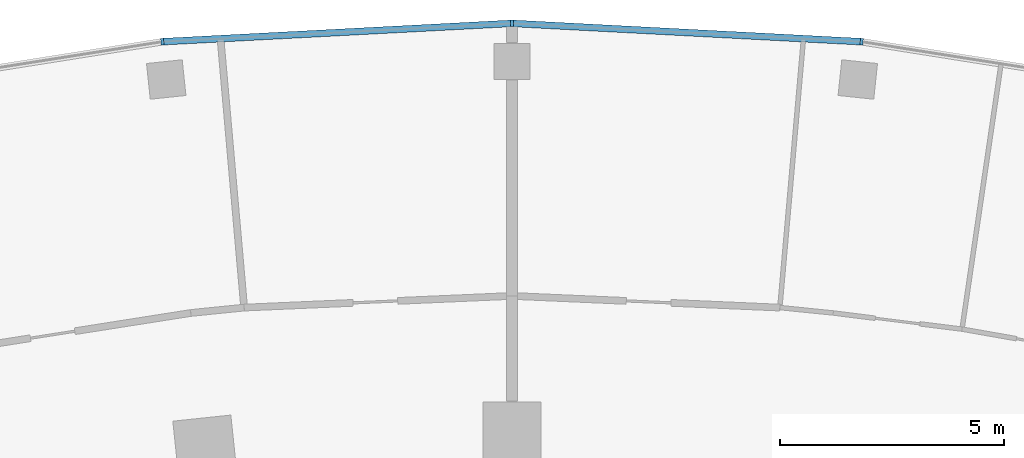
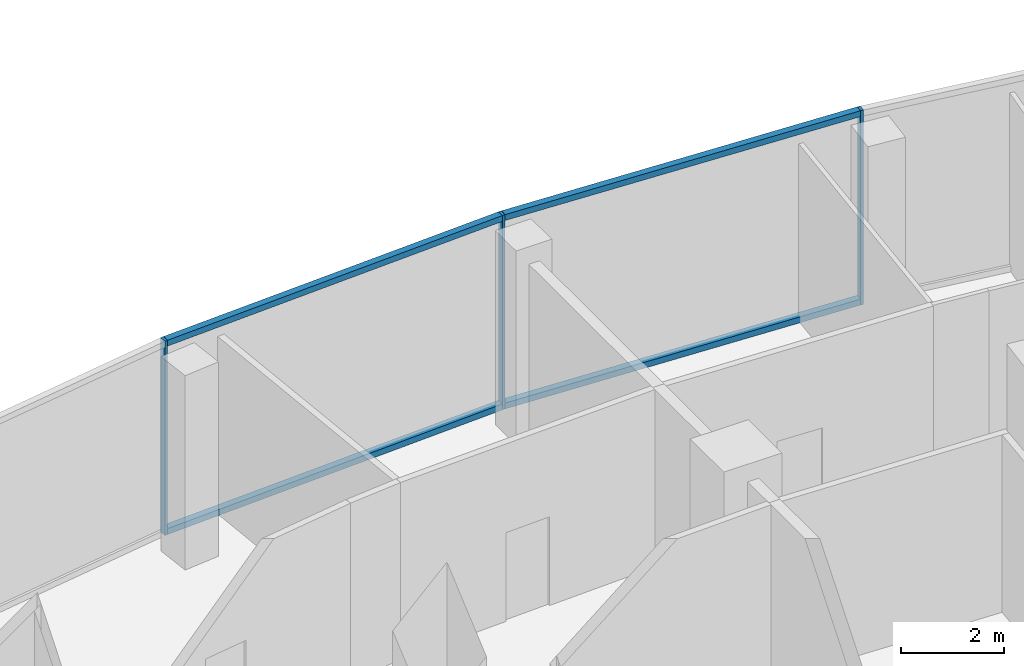
# One storey, part 14 of 39: 7 members, 1 element without a shape of its own.
"""IFC4 building model written with IfcOpenShell, lengths in metres."""

from ifc_helpers import new_model, si_unit, direction, frame, origin, origin_2d, place, context, subcontext, project, spatial, rectangle, extrude, material, layer, layer_set, material_profile, profile_set, type_object, element, aggregate, save


model = new_model("IFC4")

# Units and contexts
model_context = context("Model", 3, precision=1e-05, world=origin(), true_north=direction((0.0, 1.0)))
body_context = subcontext(model_context, "Body", "Model", "MODEL_VIEW")
ifc_project = project(units=[si_unit("LENGTHUNIT", "METRE"), si_unit("AREAUNIT", "SQUARE_METRE"), si_unit("VOLUMEUNIT", "CUBIC_METRE"), si_unit("PLANEANGLEUNIT", "RADIAN"), si_unit("MASSUNIT", "GRAM", prefix="KILO")], contexts=[model_context])

# Site, building, storey
site_placement = place(None, origin())
site = spatial("IfcSite", under=ifc_project, at=site_placement, CompositionType="ELEMENT")
building_placement = place(site_placement, origin())
building = spatial("IfcBuilding", under=site, at=building_placement, Name="Stone Belt Terrace Tower", CompositionType="ELEMENT")
storey_placement = place(building_placement, frame((0.0, 0.0, 16.199951171875)))
storey = spatial("IfcBuildingStorey", under=building, at=storey_placement, Name="L03", CompositionType="ELEMENT", Elevation=16.199951171875)

# Curtain wall, members
ifc_material = material(Name="Aluminium 6063-T6 anodised frame", Category="aluminium")
ifc_layer = layer(ifc_material, 0.14990234375)
ifc_layer_set = layer_set([ifc_layer], Name="CW-D podium shopfront")
curtain_wall_type = type_object("IfcCurtainWallType", Name="CW-D podium shopfront", PredefinedType="NOTDEFINED", material=ifc_layer_set)
curtain_wall_placement = place(storey_placement, origin())
curtain_wall = element("IfcCurtainWall", 1, at=curtain_wall_placement, inside=storey, type_object=curtain_wall_type, Name="CW-D convex face L03", PredefinedType="NOTDEFINED")
ifc_material_profile_1 = material_profile(ifc_material, rectangle(XDim=0.14990234375, YDim=0.06005859375, at=origin_2d()), Name="Aluminium 6063-T6 60x150")
ifc_profile_set_1 = profile_set([ifc_material_profile_1], Name="Aluminium 6063-T6 anodised frame")
member_type_1 = type_object("IfcMemberType", Name="CW-D mullion 60 x 150", PredefinedType="MULLION", material=ifc_profile_set_1)
member_1_placement = place(storey_placement, frame((7.795166015625, 74.16650390625, 0.0), z_axis=(0.0, 0.0, 1.0), x_axis=(-0.104528463268, -0.994521895368, 0.0)))
member_1 = element("IfcMember", 2, at=member_1_placement, type_object=member_type_1, Name="CW-D mullion 12", PredefinedType="MULLION", context=body_context, shape_type="SweptSolid", body=[
    extrude(rectangle(XDim=0.14990234375, YDim=0.06005859375, at=origin_2d()), origin(), (0.0, 0.0, 1.0), 4.60009765625),
])
member_2_placement = place(storey_placement, frame((0.0, 74.5751953125, 0.0), z_axis=(0.0, 0.0, 1.0), x_axis=(0.0, -1.0, 0.0)))
member_2 = element("IfcMember", 3, at=member_2_placement, type_object=member_type_1, Name="CW-D mullion 13", PredefinedType="MULLION", context=body_context, shape_type="SweptSolid", body=[
    extrude(rectangle(XDim=0.14990234375, YDim=0.06005859375, at=origin_2d()), origin(), (0.0, 0.0, 1.0), 4.60009765625),
])
member_3_placement = place(storey_placement, frame((-7.795166015625, 74.16650390625, 0.0), z_axis=(0.0, 0.0, 1.0), x_axis=(0.104528463268, -0.994521895368, 0.0)))
member_3 = element("IfcMember", 4, at=member_3_placement, type_object=member_type_1, Name="CW-D mullion 14", PredefinedType="MULLION", context=body_context, shape_type="SweptSolid", body=[
    extrude(rectangle(XDim=0.14990234375, YDim=0.06005859375, at=origin_2d()), origin(), (0.0, 0.0, 1.0), 4.60009765625),
])
ifc_material_profile_2 = material_profile(ifc_material, rectangle(XDim=0.14990234375, YDim=0.139892578125, at=origin_2d()), Name="Aluminium 6063-T6 150x140")
ifc_profile_set_2 = profile_set([ifc_material_profile_2], Name="Aluminium 6063-T6 anodised frame")
member_type_2 = type_object("IfcMemberType", Name="CW-D transom 140 x 150", PredefinedType="USERDEFINED", material=ifc_profile_set_2)
member_4_placement = place(storey_placement, frame((7.761474609375, 74.16845703125, 0.070068359375), z_axis=(-0.998630871779, 0.052310438058, 0.0), x_axis=(-0.052310438058, -0.998630871779, 0.0)))
member_4 = element("IfcMember", 5, at=member_4_placement, type_object=member_type_2, Name="CW-D transom 12.1", ObjectType="TRANSOM", PredefinedType="USERDEFINED", context=body_context, shape_type="SweptSolid", body=[
    extrude(rectangle(XDim=0.14990234375, YDim=0.139892578125, at=origin_2d()), origin(), (0.0, 0.0, 1.0), 7.738037109375),
])
member_5_placement = place(storey_placement, frame((7.761474609375, 74.16845703125, 4.530029296875), z_axis=(-0.998630871779, 0.052310438058, 0.0), x_axis=(-0.052310438058, -0.998630871779, 0.0)))
member_5 = element("IfcMember", 6, at=member_5_placement, type_object=member_type_2, Name="CW-D transom 12.2", ObjectType="TRANSOM", PredefinedType="USERDEFINED", context=body_context, shape_type="SweptSolid", body=[
    extrude(rectangle(XDim=0.14990234375, YDim=0.139892578125, at=origin_2d()), origin(), (0.0, 0.0, 1.0), 7.738037109375),
])
member_6_placement = place(storey_placement, frame((-0.033935546875, 74.5732421875, 0.070068359375), z_axis=(-0.998630871779, -0.052310438058, 0.0), x_axis=(0.052310438058, -0.998630871779, 0.0)))
member_6 = element("IfcMember", 7, at=member_6_placement, type_object=member_type_2, Name="CW-D transom 13.1", ObjectType="TRANSOM", PredefinedType="USERDEFINED", context=body_context, shape_type="SweptSolid", body=[
    extrude(rectangle(XDim=0.14990234375, YDim=0.139892578125, at=origin_2d()), origin(), (0.0, 0.0, 1.0), 7.738037109375),
])
member_7_placement = place(storey_placement, frame((-0.033935546875, 74.5732421875, 4.530029296875), z_axis=(-0.998630871779, -0.052310438058, 0.0), x_axis=(0.052310438058, -0.998630871779, 0.0)))
member_7 = element("IfcMember", 8, at=member_7_placement, type_object=member_type_2, Name="CW-D transom 13.2", ObjectType="TRANSOM", PredefinedType="USERDEFINED", context=body_context, shape_type="SweptSolid", body=[
    extrude(rectangle(XDim=0.14990234375, YDim=0.139892578125, at=origin_2d()), origin(), (0.0, 0.0, 1.0), 7.738037109375),
])
aggregate(curtain_wall, [member_1, member_2, member_3, member_4, member_5, member_6, member_7])

save(model, "model.ifc")
